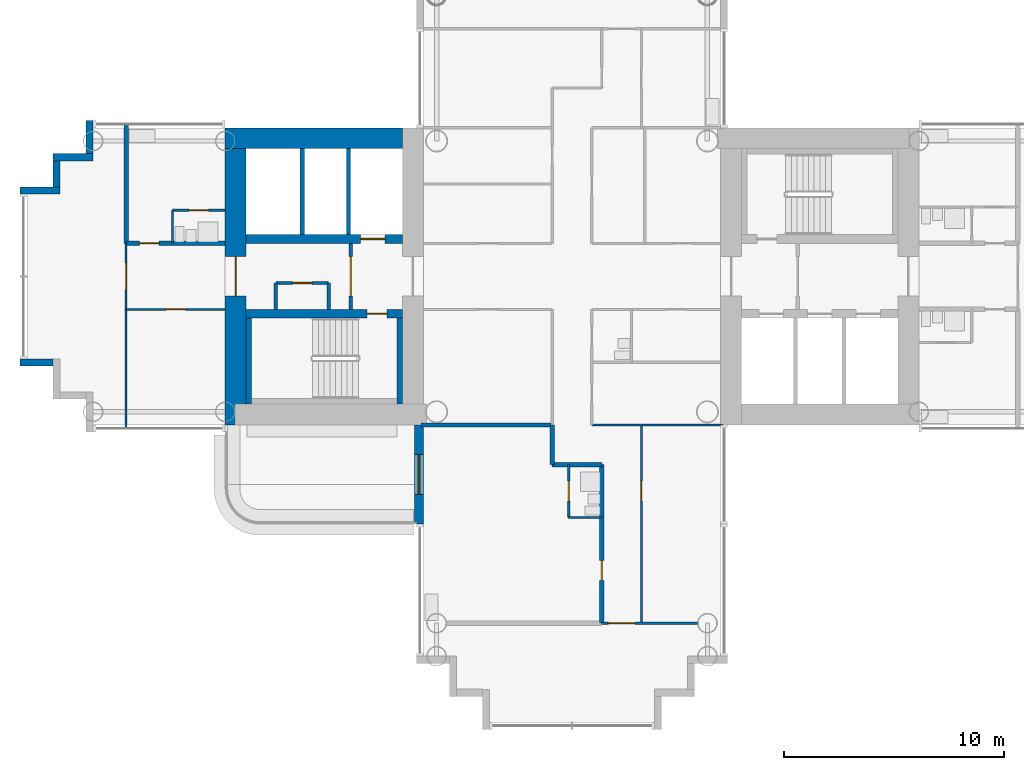
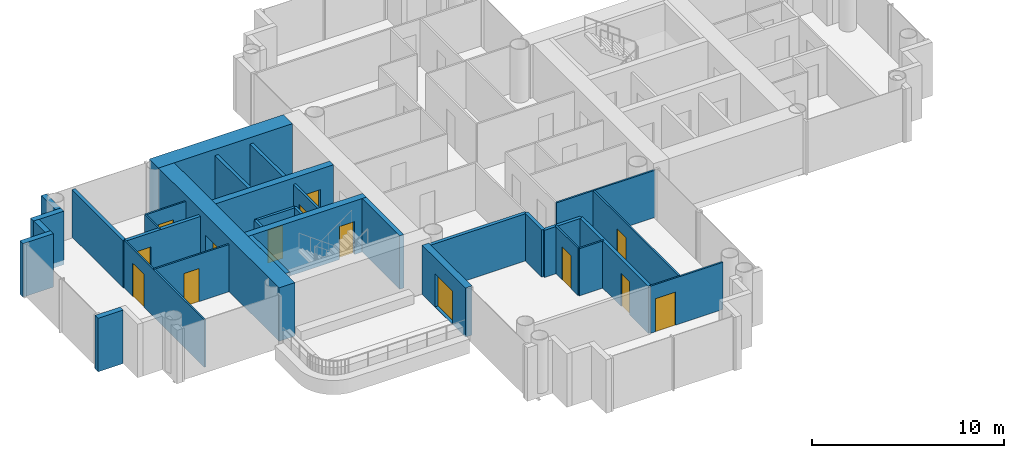
# One storey, part 9 of 21: 33 walls, 14 doors, 14 openings.
"""IFC4 building model written with IfcOpenShell, lengths in metres."""

from ifc_helpers import new_model, si_unit, direction, frame, frame_2d, origin, place, context, subcontext, project, spatial, rectangle, extrude, material, layer, layer_set, type_object, element, fill, save


model = new_model("IFC4")

# Units and contexts
model_context = context("Model", 3, precision=1e-05, world=origin(), true_north=direction((0.0, 1.0)))
body_context = subcontext(model_context, "Body", "Model", "MODEL_VIEW")
ifc_project = project(units=[si_unit("LENGTHUNIT", "METRE"), si_unit("AREAUNIT", "SQUARE_METRE"), si_unit("VOLUMEUNIT", "CUBIC_METRE"), si_unit("PLANEANGLEUNIT", "RADIAN"), si_unit("MASSUNIT", "GRAM", prefix="KILO")], contexts=[model_context])

# Site, building, storey
site_placement = place(None, origin())
site = spatial("IfcSite", under=ifc_project, at=site_placement, CompositionType="ELEMENT")
building_placement = place(site_placement, origin())
building = spatial("IfcBuilding", under=site, at=building_placement, Name="Ipe Terrace Towers", CompositionType="ELEMENT")
storey_placement = place(building_placement, frame((0.0, 0.0, 97.0)))
storey = spatial("IfcBuildingStorey", under=building, at=storey_placement, Name="L26", CompositionType="ELEMENT", Elevation=97.0)

# Wall, opening, door
ifc_material_1 = material(Name="Concrete C40/50 with buff precast cladding", Category="concrete")
ifc_layer_1 = layer(ifc_material_1, 0.39990234375)
ifc_layer_set_1 = layer_set([ifc_layer_1], Name="BALCONY BAY WALL 400")
wall_type_1 = type_object("IfcWallType", Name="BALCONY BAY WALL 400", PredefinedType="STANDARD", material=ifc_layer_set_1)
wall_1_placement = place(storey_placement, frame((-42.949951171875, -6.75, -0.02001953125), z_axis=(0.0, 0.0, 1.0), x_axis=(0.0, -1.0, 0.0)))
wall_1 = element("IfcWall", 1, at=wall_1_placement, inside=storey, type_object=wall_type_1, Name="T1-W-L26-06a wall", PredefinedType="STANDARD", context=body_context, shape_type="SweptSolid", body=[
    extrude(rectangle(XDim=4.5, YDim=0.39990234375, at=frame_2d((2.25, 0.0))), origin(), (0.0, 0.0, 1.0), 3.1201171875),
])
opening_1_placement = place(wall_1_placement, frame((1.35009765625, 0.0, 0.02001953125)))
opening_1 = element("IfcOpeningElement", 2, at=opening_1_placement, cuts=wall_1, Name="Opening T1-D-L26-06", PredefinedType="OPENING", context=body_context, shape_type="SweptSolid", body=[
    extrude(rectangle(XDim=1.800048828125, YDim=2.10009765625, at=frame_2d((0.89990234375, 1.050048828125))), frame((0.0, 0.2099609375, 0.0), z_axis=(0.0, -1.0, 0.0), x_axis=(1.0, 0.0, 0.0)), (0.0, 0.0, 1.0), 0.419921875),
])
ifc_material_2 = material(Name="Aluminium alloy 6063-T6 framed glazed door", Category="aluminium")
door_type_1 = type_object("IfcDoorType", Name="BALCONY DOOR 1800 x 2100 LEFT", OperationType="SINGLE_SWING_LEFT", PredefinedType="DOOR", material=ifc_material_2)
door_1_placement = place(opening_1_placement, origin())
door_1 = element("IfcDoor", 3, at=door_1_placement, inside=storey, type_object=door_type_1, Name="DB1 door", OperationType="SINGLE_SWING_LEFT", OverallHeight=2.10009765625, OverallWidth=1.800048828125, PredefinedType="DOOR", context=body_context, shape_type="SweptSolid", body=[
    extrude(rectangle(XDim=1.800048828125, YDim=2.10009765625, at=frame_2d((0.89990234375, 1.050048828125))), frame((0.0, 0.02490234375, 0.0), z_axis=(0.0, -1.0, 0.0), x_axis=(1.0, 0.0, 0.0)), (0.0, 0.0, 1.0), 0.050048828125),
])
fill(opening_1, door_1)

# Walls
ifc_material_3 = material(Name="Concrete C40/50 with buff precast cladding", Category="concrete")
ifc_layer_2 = layer(ifc_material_3, 0.320068359375)
ifc_layer_set_2 = layer_set([ifc_layer_2], Name="BUFF CLADDING WALL 320")
wall_type_2 = type_object("IfcWallType", Name="BUFF CLADDING WALL 320", PredefinedType="STANDARD", material=ifc_layer_set_2)
for number, where, z_axis, x_axis, name in (
    (4, (-61.070068359375, -3.909912109375, -0.300048828125), (0.0, 0.0, 1.0), (1.0, 0.0, 0.0), "T1-W-L26-00a wall"),
    (5, (-57.909912109375, 7.070068359375, -0.300048828125), (0.0, 0.0, 1.0), (0.0, -1.0, 0.0), "T1-W-L26-47a wall"),
):
    element("IfcWall", number, at=place(storey_placement, frame(where, z_axis=z_axis, x_axis=x_axis)), inside=storey, type_object=wall_type_2, Name=name, PredefinedType="STANDARD", context=body_context, shape_type="SweptSolid", body=[
        extrude(rectangle(XDim=1.5, YDim=0.320068359375, at=frame_2d((0.75, 0.0))), origin(), (0.0, 0.0, 1.0), 3.400146484375),
    ])
wall_2_placement = place(storey_placement, frame((-57.75, 5.409912109375, -0.300048828125), z_axis=(0.0, 0.0, 1.0), x_axis=(-1.0, 0.0, 0.0)))
element("IfcWall", 6, at=wall_2_placement, inside=storey, type_object=wall_type_2, Name="T1-W-L26-48a wall", PredefinedType="STANDARD", context=body_context, shape_type="SweptSolid", body=[
    extrude(rectangle(XDim=1.820068359375, YDim=0.320068359375, at=frame_2d((0.91015625, 0.0))), origin(), (0.0, 0.0, 1.0), 3.400146484375),
])
wall_3_placement = place(storey_placement, frame((-59.409912109375, 5.25, -0.300048828125), z_axis=(0.0, 0.0, 1.0), x_axis=(0.0, -1.0, 0.0)))
element("IfcWall", 7, at=wall_3_placement, inside=storey, type_object=wall_type_2, Name="T1-W-L26-49a wall", PredefinedType="STANDARD", context=body_context, shape_type="SweptSolid", body=[
    extrude(rectangle(XDim=1.179931640625, YDim=0.320068359375, at=frame_2d((0.58984375, 0.0))), origin(), (0.0, 0.0, 1.0), 3.400146484375),
])
wall_4_placement = place(storey_placement, frame((-59.25, 3.909912109375, -0.300048828125), z_axis=(0.0, 0.0, 1.0), x_axis=(-1.0, 0.0, 0.0)))
element("IfcWall", 8, at=wall_4_placement, inside=storey, type_object=wall_type_2, Name="T1-W-L26-50a wall", PredefinedType="STANDARD", context=body_context, shape_type="SweptSolid", body=[
    extrude(rectangle(XDim=1.820068359375, YDim=0.320068359375, at=frame_2d((0.91015625, 0.0))), origin(), (0.0, 0.0, 1.0), 3.400146484375),
])

# Wall, opening, door
ifc_material_4 = material(Name="Gypsum board partition", Category="plasterboard")
ifc_layer_3 = layer(ifc_material_4, 0.10009765625)
ifc_layer_set_3 = layer_set([ifc_layer_3], Name="Gypsum board partition 100 mm")
wall_type_3 = type_object("IfcWallType", Name="Gypsum board partition 100 mm", PredefinedType="PARTITIONING", material=ifc_layer_set_3)
wall_5_placement = place(storey_placement, frame((-56.25, -6.85009765625, 0.0), z_axis=(0.0, 0.0, 1.0), x_axis=(0.0, 1.0, 0.0)))
wall_5 = element("IfcWall", 9, at=wall_5_placement, inside=storey, type_object=wall_type_3, Name="Gypsum board partition T1 L26 W01", PredefinedType="PARTITIONING", context=body_context, shape_type="SweptSolid", body=[
    extrude(rectangle(XDim=8.35009765625, YDim=0.10009765625, at=frame_2d((4.175048828125, 0.0))), origin(), (0.0, 0.0, 1.0), 3.0),
])
opening_2_placement = place(wall_5_placement, frame((6.25, 0.0, 0.0)))
opening_2 = element("IfcOpeningElement", 10, at=opening_2_placement, cuts=wall_5, Name="Opening T1-Z2E-25", PredefinedType="OPENING", context=body_context, shape_type="SweptSolid", body=[
    extrude(rectangle(XDim=1.199951171875, YDim=2.10009765625, at=frame_2d((0.60009765625, 1.050048828125))), frame((0.0, 0.06005859375, 0.0), z_axis=(0.0, -1.0, 0.0), x_axis=(1.0, 0.0, 0.0)), (0.0, 0.0, 1.0), 0.1201171875),
])
ifc_material_5 = material(Name="Timber door leaf", Category="wood")
door_type_2 = type_object("IfcDoorType", Name="Lounge door 1200 x 2100", OperationType="NOTDEFINED", PredefinedType="DOOR", material=ifc_material_5)
door_2_placement = place(opening_2_placement, origin())
door_2 = element("IfcDoor", 11, at=door_2_placement, inside=storey, type_object=door_type_2, Name="Lounge door T1-Z2E-25", OperationType="SINGLE_SWING_LEFT", OverallHeight=2.10009765625, OverallWidth=1.199951171875, PredefinedType="DOOR", context=body_context, shape_type="SweptSolid", body=[
    extrude(rectangle(XDim=1.199951171875, YDim=2.10009765625, at=frame_2d((0.60009765625, 1.050048828125))), frame((0.0, 0.02490234375, 0.0), z_axis=(0.0, -1.0, 0.0), x_axis=(1.0, 0.0, 0.0)), (0.0, 0.0, 1.0), 0.050048828125),
])
fill(opening_2, door_2)

# Wall
wall_6_placement = place(storey_placement, frame((-54.14990234375, 1.5, 0.0), z_axis=(0.0, 0.0, 1.0), x_axis=(0.0, 1.0, 0.0)))
element("IfcWall", 12, at=wall_6_placement, inside=storey, type_object=wall_type_3, Name="Gypsum board partition T1 L26 W03", PredefinedType="PARTITIONING", context=body_context, shape_type="SweptSolid", body=[
    extrude(rectangle(XDim=1.5, YDim=0.10009765625, at=frame_2d((0.75, 0.0))), origin(), (0.0, 0.0, 1.0), 3.0),
])

# Wall, opening, door
wall_7_placement = place(storey_placement, frame((-36.14990234375, -10.949951171875, 0.0), z_axis=(0.0, 0.0, 1.0), x_axis=(0.0, 1.0, 0.0)))
wall_7 = element("IfcWall", 13, at=wall_7_placement, inside=storey, type_object=wall_type_3, Name="Gypsum board partition T1 L26 W07", PredefinedType="PARTITIONING", context=body_context, shape_type="SweptSolid", body=[
    extrude(rectangle(XDim=2.39990234375, YDim=0.10009765625, at=frame_2d((1.199951171875, 0.0))), origin(), (0.0, 0.0, 1.0), 3.0),
])
opening_3_placement = place(wall_7_placement, frame((0.75, 0.0, 0.0)))
opening_3 = element("IfcOpeningElement", 14, at=opening_3_placement, cuts=wall_7, Name="Opening T1-Z2E-14", PredefinedType="OPENING", context=body_context, shape_type="SweptSolid", body=[
    extrude(rectangle(XDim=0.89990234375, YDim=2.10009765625, at=frame_2d((0.449951171875, 1.050048828125))), frame((0.0, 0.06005859375, 0.0), z_axis=(0.0, -1.0, 0.0), x_axis=(1.0, 0.0, 0.0)), (0.0, 0.0, 1.0), 0.1201171875),
])
ifc_material_6 = material(Name="Timber door leaf", Category="wood")
door_type_3 = type_object("IfcDoorType", Name="Bathroom door 900 x 2100", OperationType="NOTDEFINED", PredefinedType="DOOR", material=ifc_material_6)
door_3_placement = place(opening_3_placement, origin())
door_3 = element("IfcDoor", 15, at=door_3_placement, inside=storey, type_object=door_type_3, Name="Bathroom door T1-Z2E-14", OperationType="SINGLE_SWING_RIGHT", OverallHeight=2.10009765625, OverallWidth=0.89990234375, PredefinedType="DOOR", context=body_context, shape_type="SweptSolid", body=[
    extrude(rectangle(XDim=0.89990234375, YDim=2.10009765625, at=frame_2d((0.449951171875, 1.050048828125))), frame((0.0, 0.02490234375, 0.0), z_axis=(0.0, -1.0, 0.0), x_axis=(1.0, 0.0, 0.0)), (0.0, 0.0, 1.0), 0.050048828125),
])
fill(opening_3, door_3)

wall_8_placement = place(storey_placement, frame((-32.85009765625, -15.75, 0.0), z_axis=(0.0, 0.0, 1.0), x_axis=(0.0, 1.0, 0.0)))
wall_8 = element("IfcWall", 16, at=wall_8_placement, inside=storey, type_object=wall_type_3, Name="Gypsum board partition T1 L26 W13", PredefinedType="PARTITIONING", context=body_context, shape_type="SweptSolid", body=[
    extrude(rectangle(XDim=9.0, YDim=0.10009765625, at=frame_2d((4.5, 0.0))), origin(), (0.0, 0.0, 1.0), 3.0),
])
opening_4_placement = place(wall_8_placement, frame((5.550048828125, 0.0, 0.0)))
opening_4 = element("IfcOpeningElement", 17, at=opening_4_placement, cuts=wall_8, Name="Opening T1-Z2E-12", PredefinedType="OPENING", context=body_context, shape_type="SweptSolid", body=[
    extrude(rectangle(XDim=0.89990234375, YDim=2.10009765625, at=frame_2d((0.449951171875, 1.050048828125))), frame((0.0, 0.06005859375, 0.0), z_axis=(0.0, -1.0, 0.0), x_axis=(1.0, 0.0, 0.0)), (0.0, 0.0, 1.0), 0.1201171875),
])
ifc_material_7 = material(Name="Timber door leaf", Category="wood")
door_type_4 = type_object("IfcDoorType", Name="Lounge door 900 x 2100", OperationType="NOTDEFINED", PredefinedType="DOOR", material=ifc_material_7)
door_4_placement = place(opening_4_placement, origin())
door_4 = element("IfcDoor", 18, at=door_4_placement, inside=storey, type_object=door_type_4, Name="Lounge door T1-Z2E-12", OperationType="SINGLE_SWING_RIGHT", OverallHeight=2.10009765625, OverallWidth=0.89990234375, PredefinedType="DOOR", context=body_context, shape_type="SweptSolid", body=[
    extrude(rectangle(XDim=0.89990234375, YDim=2.10009765625, at=frame_2d((0.449951171875, 1.050048828125))), frame((0.0, 0.02490234375, 0.0), z_axis=(0.0, -1.0, 0.0), x_axis=(1.0, 0.0, 0.0)), (0.0, 0.0, 1.0), 0.050048828125),
])
fill(opening_4, door_4)

wall_9_placement = place(storey_placement, frame((-34.64990234375, -15.75, 0.0), z_axis=(0.0, 0.0, 1.0), x_axis=(1.0, 0.0, 0.0)))
wall_9 = element("IfcWall", 19, at=wall_9_placement, inside=storey, type_object=wall_type_3, Name="Gypsum board partition T1 L26 W21", PredefinedType="PARTITIONING", context=body_context, shape_type="SweptSolid", body=[
    extrude(rectangle(XDim=4.349853515625, YDim=0.10009765625, at=frame_2d((2.1748046875, 0.0))), origin(), (0.0, 0.0, 1.0), 3.0),
])
opening_5_placement = place(wall_9_placement, frame((0.300048828125, 0.0, 0.0)))
opening_5 = element("IfcOpeningElement", 20, at=opening_5_placement, cuts=wall_9, Name="Opening T1-Z2E-15", PredefinedType="OPENING", context=body_context, shape_type="SweptSolid", body=[
    extrude(rectangle(XDim=1.199951171875, YDim=2.10009765625, at=frame_2d((0.60009765625, 1.050048828125))), frame((0.0, 0.06005859375, 0.0), z_axis=(0.0, -1.0, 0.0), x_axis=(1.0, 0.0, 0.0)), (0.0, 0.0, 1.0), 0.1201171875),
])
door_5_placement = place(opening_5_placement, origin())
door_5 = element("IfcDoor", 21, at=door_5_placement, inside=storey, type_object=door_type_2, Name="Lounge door T1-Z2E-15", OperationType="SINGLE_SWING_LEFT", OverallHeight=2.10009765625, OverallWidth=1.199951171875, PredefinedType="DOOR", context=body_context, shape_type="SweptSolid", body=[
    extrude(rectangle(XDim=1.199951171875, YDim=2.10009765625, at=frame_2d((0.60009765625, 1.050048828125))), frame((0.0, 0.02490234375, 0.0), z_axis=(0.0, -1.0, 0.0), x_axis=(1.0, 0.0, 0.0)), (0.0, 0.0, 1.0), 0.050048828125),
])
fill(opening_5, door_5)

# Walls
wall_10_placement = place(storey_placement, frame((-36.14990234375, -10.949951171875, 0.0), z_axis=(0.0, 0.0, 1.0), x_axis=(1.0, 0.0, 0.0)))
element("IfcWall", 22, at=wall_10_placement, inside=storey, type_object=wall_type_3, Name="Gypsum board partition T1 L26 W23", PredefinedType="PARTITIONING", context=body_context, shape_type="SweptSolid", body=[
    extrude(rectangle(XDim=1.5, YDim=0.10009765625, at=frame_2d((0.75, 0.0))), origin(), (0.0, 0.0, 1.0), 3.0),
])
wall_11_placement = place(storey_placement, frame((-35.10009765625, -6.75, 0.0), z_axis=(0.0, 0.0, 1.0), x_axis=(1.0, 0.0, 0.0)))
element("IfcWall", 23, at=wall_11_placement, inside=storey, type_object=wall_type_3, Name="Gypsum board partition T1 L26 W25", PredefinedType="PARTITIONING", context=body_context, shape_type="SweptSolid", body=[
    extrude(rectangle(XDim=5.9501953125, YDim=0.10009765625, at=frame_2d((2.97509765625, 0.0))), origin(), (0.0, 0.0, 1.0), 3.0),
])

# Wall, opening, door
wall_12_placement = place(storey_placement, frame((-56.25, -1.5, 0.0), z_axis=(0.0, 0.0, 1.0), x_axis=(1.0, 0.0, 0.0)))
wall_12 = element("IfcWall", 24, at=wall_12_placement, inside=storey, type_object=wall_type_3, Name="Gypsum board partition T1 L26 W29", PredefinedType="PARTITIONING", context=body_context, shape_type="SweptSolid", body=[
    extrude(rectangle(XDim=4.5, YDim=0.10009765625, at=frame_2d((2.25, 0.0))), origin(), (0.0, 0.0, 1.0), 3.0),
])
opening_6_placement = place(wall_12_placement, frame((1.800048828125, 0.0, 0.0)))
opening_6 = element("IfcOpeningElement", 25, at=opening_6_placement, cuts=wall_12, Name="Opening T1-Z2E-22", PredefinedType="OPENING", context=body_context, shape_type="SweptSolid", body=[
    extrude(rectangle(XDim=0.89990234375, YDim=2.10009765625, at=frame_2d((0.449951171875, 1.050048828125))), frame((0.0, 0.06005859375, 0.0), z_axis=(0.0, -1.0, 0.0), x_axis=(1.0, 0.0, 0.0)), (0.0, 0.0, 1.0), 0.1201171875),
])
door_6_placement = place(opening_6_placement, origin())
door_6 = element("IfcDoor", 26, at=door_6_placement, inside=storey, type_object=door_type_4, Name="Lounge door T1-Z2E-22", OperationType="SINGLE_SWING_RIGHT", OverallHeight=2.10009765625, OverallWidth=0.89990234375, PredefinedType="DOOR", context=body_context, shape_type="SweptSolid", body=[
    extrude(rectangle(XDim=0.89990234375, YDim=2.10009765625, at=frame_2d((0.449951171875, 1.050048828125))), frame((0.0, 0.02490234375, 0.0), z_axis=(0.0, -1.0, 0.0), x_axis=(1.0, 0.0, 0.0)), (0.0, 0.0, 1.0), 0.050048828125),
])
fill(opening_6, door_6)

wall_13_placement = place(storey_placement, frame((-54.14990234375, 3.0, 0.0), z_axis=(0.0, 0.0, 1.0), x_axis=(1.0, 0.0, 0.0)))
wall_13 = element("IfcWall", 27, at=wall_13_placement, inside=storey, type_object=wall_type_3, Name="Gypsum board partition T1 L26 W37", PredefinedType="PARTITIONING", context=body_context, shape_type="SweptSolid", body=[
    extrude(rectangle(XDim=2.39990234375, YDim=0.10009765625, at=frame_2d((1.199951171875, 0.0))), origin(), (0.0, 0.0, 1.0), 3.0),
])
opening_7_placement = place(wall_13_placement, frame((0.75, 0.0, 0.0)))
opening_7 = element("IfcOpeningElement", 28, at=opening_7_placement, cuts=wall_13, Name="Opening T1-Z2E-24", PredefinedType="OPENING", context=body_context, shape_type="SweptSolid", body=[
    extrude(rectangle(XDim=0.89990234375, YDim=2.10009765625, at=frame_2d((0.449951171875, 1.050048828125))), frame((0.0, 0.06005859375, 0.0), z_axis=(0.0, -1.0, 0.0), x_axis=(1.0, 0.0, 0.0)), (0.0, 0.0, 1.0), 0.1201171875),
])
door_7_placement = place(opening_7_placement, origin())
door_7 = element("IfcDoor", 29, at=door_7_placement, inside=storey, type_object=door_type_3, Name="Bathroom door T1-Z2E-24", OperationType="SINGLE_SWING_RIGHT", OverallHeight=2.10009765625, OverallWidth=0.89990234375, PredefinedType="DOOR", context=body_context, shape_type="SweptSolid", body=[
    extrude(rectangle(XDim=0.89990234375, YDim=2.10009765625, at=frame_2d((0.449951171875, 1.050048828125))), frame((0.0, 0.02490234375, 0.0), z_axis=(0.0, -1.0, 0.0), x_axis=(1.0, 0.0, 0.0)), (0.0, 0.0, 1.0), 0.050048828125),
])
fill(opening_7, door_7)

ifc_material_8 = material(Name="Gypsum board partition", Category="plasterboard")
ifc_layer_4 = layer(ifc_material_8, 0.14990234375)
ifc_layer_set_4 = layer_set([ifc_layer_4], Name="Gypsum board partition 150 mm")
wall_type_4 = type_object("IfcWallType", Name="Gypsum board partition 150 mm", PredefinedType="PARTITIONING", material=ifc_layer_set_4)
wall_14_placement = place(storey_placement, frame((-46.050048828125, 1.5, 0.0), z_axis=(0.0, 0.0, 1.0), x_axis=(0.0, -1.0, 0.0)))
wall_14 = element("IfcWall", 30, at=wall_14_placement, inside=storey, type_object=wall_type_4, Name="Gypsum board partition T1 L26 t1c2-lobby-wall", PredefinedType="PARTITIONING", context=body_context, shape_type="SweptSolid", body=[
    extrude(rectangle(XDim=3.0, YDim=0.14990234375, at=frame_2d((1.5, 0.0))), origin(), (0.0, 0.0, 1.0), 3.0),
])
opening_8_placement = place(wall_14_placement, frame((0.60009765625, 0.0, 0.0)))
opening_8 = element("IfcOpeningElement", 31, at=opening_8_placement, cuts=wall_14, Name="Opening T1C2-VD", PredefinedType="OPENING", context=body_context, shape_type="SweptSolid", body=[
    extrude(rectangle(XDim=1.800048828125, YDim=2.10009765625, at=frame_2d((0.89990234375, 1.050048828125))), frame((0.0, 0.0849609375, 0.0), z_axis=(0.0, -1.0, 0.0), x_axis=(1.0, 0.0, 0.0)), (0.0, 0.0, 1.0), 0.169921875),
])
ifc_material_9 = material(Name="Fire-rated timber door leaf", Category="wood")
door_type_5 = type_object("IfcDoorType", Name="Lobby door 1800 x 2100 FD60", OperationType="NOTDEFINED", PredefinedType="DOOR", material=ifc_material_9)
door_8_placement = place(opening_8_placement, origin())
door_8 = element("IfcDoor", 32, at=door_8_placement, inside=storey, type_object=door_type_5, Name="Lobby door T1C2-VD", OperationType="SINGLE_SWING_LEFT", OverallHeight=2.10009765625, OverallWidth=1.800048828125, PredefinedType="DOOR", context=body_context, shape_type="SweptSolid", body=[
    extrude(rectangle(XDim=1.800048828125, YDim=2.10009765625, at=frame_2d((0.89990234375, 1.050048828125))), frame((0.0, 0.02490234375, 0.0), z_axis=(0.0, -1.0, 0.0), x_axis=(1.0, 0.0, 0.0)), (0.0, 0.0, 1.0), 0.050048828125),
])
fill(opening_8, door_8)

wall_15_placement = place(storey_placement, frame((-47.050048828125, -0.300048828125, 0.0), z_axis=(0.0, 0.0, 1.0), x_axis=(-1.0, 0.0, 0.0)))
wall_15 = element("IfcWall", 33, at=wall_15_placement, inside=storey, type_object=wall_type_4, Name="Gypsum board partition T1 L26 t1c2-cup-n-f", PredefinedType="PARTITIONING", context=body_context, shape_type="SweptSolid", body=[
    extrude(rectangle(XDim=2.39990234375, YDim=0.14990234375, at=frame_2d((1.199951171875, 0.0))), origin(), (0.0, 0.0, 1.0), 3.0),
])
opening_9_placement = place(wall_15_placement, frame((0.75, 0.0, 0.0)))
opening_9 = element("IfcOpeningElement", 34, at=opening_9_placement, cuts=wall_15, Name="Opening T1C2-SR", PredefinedType="OPENING", context=body_context, shape_type="SweptSolid", body=[
    extrude(rectangle(XDim=0.89990234375, YDim=2.10009765625, at=frame_2d((0.449951171875, 1.050048828125))), frame((0.0, 0.0849609375, 0.0), z_axis=(0.0, -1.0, 0.0), x_axis=(1.0, 0.0, 0.0)), (0.0, 0.0, 1.0), 0.169921875),
])
ifc_material_10 = material(Name="Fire-rated timber door leaf", Category="wood")
door_type_6 = type_object("IfcDoorType", Name="Service door 900 x 2100 FD60", OperationType="NOTDEFINED", PredefinedType="DOOR", material=ifc_material_10)
door_9_placement = place(opening_9_placement, origin())
door_9 = element("IfcDoor", 35, at=door_9_placement, inside=storey, type_object=door_type_6, Name="Service door T1C2-SR", OperationType="SINGLE_SWING_LEFT", OverallHeight=2.10009765625, OverallWidth=0.89990234375, PredefinedType="DOOR", context=body_context, shape_type="SweptSolid", body=[
    extrude(rectangle(XDim=0.89990234375, YDim=2.10009765625, at=frame_2d((0.449951171875, 1.050048828125))), frame((0.0, 0.02490234375, 0.0), z_axis=(0.0, -1.0, 0.0), x_axis=(1.0, 0.0, 0.0)), (0.0, 0.0, 1.0), 0.050048828125),
])
fill(opening_9, door_9)

# Walls
for number, where, z_axis, x_axis, name in (
    (36, (-47.050048828125, -0.300048828125, 0.0), (0.0, 0.0, 1.0), (0.0, -1.0, 0.0), "Gypsum board partition T1 L26 t1c2-cup-n-a"),
    (37, (-49.449951171875, -0.300048828125, 0.0), (0.0, 0.0, 1.0), (0.0, -1.0, 0.0), "Gypsum board partition T1 L26 t1c2-cup-n-b"),
):
    element("IfcWall", number, at=place(storey_placement, frame(where, z_axis=z_axis, x_axis=x_axis)), inside=storey, type_object=wall_type_4, Name=name, PredefinedType="PARTITIONING", context=body_context, shape_type="SweptSolid", body=[
        extrude(rectangle(XDim=1.199951171875, YDim=0.14990234375, at=frame_2d((0.60009765625, 0.0))), origin(), (0.0, 0.0, 1.0), 3.0),
    ])
ifc_material_11 = material(Name="Gypsum board party wall", Category="plasterboard")
ifc_layer_5 = layer(ifc_material_11, 0.199951171875)
ifc_layer_set_5 = layer_set([ifc_layer_5], Name="Gypsum board party wall 200 mm")
wall_type_5 = type_object("IfcWallType", Name="Gypsum board party wall 200 mm", PredefinedType="SOLIDWALL", material=ifc_layer_set_5)
for number, where, z_axis, x_axis, name in (
    (38, (-46.14990234375, 5.800048828125, 0.0), (0.0, 0.0, 1.0), (0.0, -1.0, 0.0), "Gypsum board party wall T1 L26 t1c2-shaft-div1"),
    (39, (-48.25, 5.800048828125, 0.0), (0.0, 0.0, 1.0), (0.0, -1.0, 0.0), "Gypsum board party wall T1 L26 t1c2-shaft-div2"),
):
    element("IfcWall", number, at=place(storey_placement, frame(where, z_axis=z_axis, x_axis=x_axis)), inside=storey, type_object=wall_type_5, Name=name, PredefinedType="SOLIDWALL", context=body_context, shape_type="SweptSolid", body=[
        extrude(rectangle(XDim=3.900146484375, YDim=0.199951171875, at=frame_2d((1.9501953125, 0.0))), origin(), (0.0, 0.0, 1.0), 3.0),
    ])
wall_16_placement = place(storey_placement, frame((-56.25, 1.5, 0.0), z_axis=(0.0, 0.0, 1.0), x_axis=(0.0, 1.0, 0.0)))
element("IfcWall", 40, at=wall_16_placement, inside=storey, type_object=wall_type_5, Name="Gypsum board party wall T1 L26 W02", PredefinedType="SOLIDWALL", context=body_context, shape_type="SweptSolid", body=[
    extrude(rectangle(XDim=5.35009765625, YDim=0.199951171875, at=frame_2d((2.675048828125, 0.0))), origin(), (0.0, 0.0, 1.0), 3.0),
])
wall_17_placement = place(storey_placement, frame((-36.89990234375, -8.550048828125, 0.0), z_axis=(0.0, 0.0, 1.0), x_axis=(0.0, 1.0, 0.0)))
element("IfcWall", 41, at=wall_17_placement, inside=storey, type_object=wall_type_5, Name="Gypsum board party wall T1 L26 W06", PredefinedType="SOLIDWALL", context=body_context, shape_type="SweptSolid", body=[
    extrude(rectangle(XDim=1.800048828125, YDim=0.199951171875, at=frame_2d((0.89990234375, 0.0))), origin(), (0.0, 0.0, 1.0), 3.0),
])

# Wall, opening, door
wall_18_placement = place(storey_placement, frame((-34.64990234375, -15.75, 0.0), z_axis=(0.0, 0.0, 1.0), x_axis=(0.0, 1.0, 0.0)))
wall_18 = element("IfcWall", 42, at=wall_18_placement, inside=storey, type_object=wall_type_5, Name="Gypsum board party wall T1 L26 W11", PredefinedType="SOLIDWALL", context=body_context, shape_type="SweptSolid", body=[
    extrude(rectangle(XDim=7.199951171875, YDim=0.199951171875, at=frame_2d((3.60009765625, 0.0))), origin(), (0.0, 0.0, 1.0), 3.0),
])
opening_10_placement = place(wall_18_placement, frame((1.949951171875, 0.0, 0.0)))
opening_10 = element("IfcOpeningElement", 43, at=opening_10_placement, cuts=wall_18, Name="Opening T1-Z2E-13", PredefinedType="OPENING", context=body_context, shape_type="SweptSolid", body=[
    extrude(rectangle(XDim=0.89990234375, YDim=2.10009765625, at=frame_2d((0.449951171875, 1.050048828125))), frame((0.0, 0.10986328125, 0.0), z_axis=(0.0, -1.0, 0.0), x_axis=(1.0, 0.0, 0.0)), (0.0, 0.0, 1.0), 0.219970703125),
])
ifc_material_12 = material(Name="Fire-rated timber door leaf", Category="wood")
door_type_7 = type_object("IfcDoorType", Name="Flat entrance door 900 x 2100 FD30S", OperationType="NOTDEFINED", PredefinedType="DOOR", material=ifc_material_12)
door_10_placement = place(opening_10_placement, origin())
door_10 = element("IfcDoor", 44, at=door_10_placement, inside=storey, type_object=door_type_7, Name="Flat entrance door T1-Z2E-13", OperationType="SINGLE_SWING_RIGHT", OverallHeight=2.10009765625, OverallWidth=0.89990234375, PredefinedType="DOOR", context=body_context, shape_type="SweptSolid", body=[
    extrude(rectangle(XDim=0.89990234375, YDim=2.10009765625, at=frame_2d((0.449951171875, 1.050048828125))), frame((0.0, 0.02490234375, 0.0), z_axis=(0.0, -1.0, 0.0), x_axis=(1.0, 0.0, 0.0)), (0.0, 0.0, 1.0), 0.050048828125),
])
fill(opening_10, door_10)

# Walls
wall_19_placement = place(storey_placement, frame((-36.89990234375, -8.550048828125, 0.0), z_axis=(0.0, 0.0, 1.0), x_axis=(1.0, 0.0, 0.0)))
element("IfcWall", 45, at=wall_19_placement, inside=storey, type_object=wall_type_5, Name="Gypsum board party wall T1 L26 W24", PredefinedType="SOLIDWALL", context=body_context, shape_type="SweptSolid", body=[
    extrude(rectangle(XDim=2.25, YDim=0.199951171875, at=frame_2d((1.125, 0.0))), origin(), (0.0, 0.0, 1.0), 3.0),
])
wall_20_placement = place(storey_placement, frame((-42.85009765625, -6.75, 0.0), z_axis=(0.0, 0.0, 1.0), x_axis=(1.0, 0.0, 0.0)))
element("IfcWall", 46, at=wall_20_placement, inside=storey, type_object=wall_type_5, Name="Gypsum board party wall T1 L26 W26", PredefinedType="SOLIDWALL", context=body_context, shape_type="SweptSolid", body=[
    extrude(rectangle(XDim=5.9501953125, YDim=0.199951171875, at=frame_2d((2.97509765625, 0.0))), origin(), (0.0, 0.0, 1.0), 3.0),
])

# Wall, opening, door
wall_21_placement = place(storey_placement, frame((-56.25, 1.5, 0.0), z_axis=(0.0, 0.0, 1.0), x_axis=(1.0, 0.0, 0.0)))
wall_21 = element("IfcWall", 47, at=wall_21_placement, inside=storey, type_object=wall_type_5, Name="Gypsum board party wall T1 L26 W35", PredefinedType="SOLIDWALL", context=body_context, shape_type="SweptSolid", body=[
    extrude(rectangle(XDim=4.5, YDim=0.199951171875, at=frame_2d((2.25, 0.0))), origin(), (0.0, 0.0, 1.0), 3.0),
])
opening_11_placement = place(wall_21_placement, frame((0.60009765625, 0.0, 0.0)))
opening_11 = element("IfcOpeningElement", 48, at=opening_11_placement, cuts=wall_21, Name="Opening T1-Z2E-23", PredefinedType="OPENING", context=body_context, shape_type="SweptSolid", body=[
    extrude(rectangle(XDim=0.89990234375, YDim=2.10009765625, at=frame_2d((0.449951171875, 1.050048828125))), frame((0.0, 0.10986328125, 0.0), z_axis=(0.0, -1.0, 0.0), x_axis=(1.0, 0.0, 0.0)), (0.0, 0.0, 1.0), 0.219970703125),
])
door_11_placement = place(opening_11_placement, origin())
door_11 = element("IfcDoor", 49, at=door_11_placement, inside=storey, type_object=door_type_7, Name="Flat entrance door T1-Z2E-23", OperationType="SINGLE_SWING_RIGHT", OverallHeight=2.10009765625, OverallWidth=0.89990234375, PredefinedType="DOOR", context=body_context, shape_type="SweptSolid", body=[
    extrude(rectangle(XDim=0.89990234375, YDim=2.10009765625, at=frame_2d((0.449951171875, 1.050048828125))), frame((0.0, 0.02490234375, 0.0), z_axis=(0.0, -1.0, 0.0), x_axis=(1.0, 0.0, 0.0)), (0.0, 0.0, 1.0), 0.050048828125),
])
fill(opening_11, door_11)

# Walls
ifc_material_13 = material(Name="Concrete C50/60", Category="concrete")
ifc_layer_6 = layer(ifc_material_13, 0.25)
ifc_layer_set_6 = layer_set([ifc_layer_6], Name="RW250 CORE INFILL WALL 250 C50-60")
wall_type_6 = type_object("IfcWallType", Name="RW250 CORE INFILL WALL 250 C50-60", PredefinedType="SHEAR", material=ifc_layer_set_6)
for number, where, z_axis, x_axis, name in (
    (50, (-50.675048828125, -1.89990234375, 0.0), (0.0, 0.0, 1.0), (0.0, -1.0, 0.0), "Core infill wall T1-C2-far"),
    (51, (-43.824951171875, -1.89990234375, 0.0), (0.0, 0.0, 1.0), (0.0, -1.0, 0.0), "Core infill wall T1-C2-near"),
):
    element("IfcWall", number, at=place(storey_placement, frame(where, z_axis=z_axis, x_axis=x_axis)), inside=storey, type_object=wall_type_6, Name=name, PredefinedType="SHEAR", context=body_context, shape_type="SweptSolid", body=[
        extrude(rectangle(XDim=3.900146484375, YDim=0.25, at=frame_2d((1.9501953125, 0.0))), origin(), (0.0, 0.0, 1.0), 3.39990234375),
    ])

# Wall, opening, door
ifc_material_14 = material(Name="Concrete C50/60", Category="concrete")
ifc_layer_7 = layer(ifc_material_14, 0.39990234375)
ifc_layer_set_7 = layer_set([ifc_layer_7], Name="RW400 CORE SPINE WALL 400 C50-60")
wall_type_7 = type_object("IfcWallType", Name="RW400 CORE SPINE WALL 400 C50-60", PredefinedType="SHEAR", material=ifc_layer_set_7)
wall_22_placement = place(storey_placement, frame((-50.800048828125, -1.699951171875, 0.0), z_axis=(0.0, 0.0, 1.0), x_axis=(1.0, 0.0, 0.0)))
wall_22 = element("IfcWall", 52, at=wall_22_placement, inside=storey, type_object=wall_type_7, Name="Core spine wall T1-C2-Z2-SW1", PredefinedType="SHEAR", context=body_context, shape_type="SweptSolid", body=[
    extrude(rectangle(XDim=7.10009765625, YDim=0.39990234375, at=frame_2d((3.550048828125, 0.0))), origin(), (0.0, 0.0, 1.0), 3.39990234375),
])
opening_12_placement = place(wall_22_placement, frame((5.5, 0.0, 0.0)))
opening_12 = element("IfcOpeningElement", 53, at=opening_12_placement, cuts=wall_22, Name="Opening T1C2-SD", PredefinedType="OPENING", context=body_context, shape_type="SweptSolid", body=[
    extrude(rectangle(XDim=0.89990234375, YDim=2.10009765625, at=frame_2d((0.449951171875, 1.050048828125))), frame((0.0, 0.2099609375, 0.0), z_axis=(0.0, -1.0, 0.0), x_axis=(1.0, 0.0, 0.0)), (0.0, 0.0, 1.0), 0.419921875),
])
ifc_material_15 = material(Name="Fire-rated timber door leaf", Category="wood")
door_type_8 = type_object("IfcDoorType", Name="Stair door 900 x 2100 FD60", OperationType="NOTDEFINED", PredefinedType="DOOR", material=ifc_material_15)
door_12_placement = place(opening_12_placement, origin())
door_12 = element("IfcDoor", 54, at=door_12_placement, inside=storey, type_object=door_type_8, Name="Stair door T1C2-SD", OperationType="SINGLE_SWING_RIGHT", OverallHeight=2.10009765625, OverallWidth=0.89990234375, PredefinedType="DOOR", context=body_context, shape_type="SweptSolid", body=[
    extrude(rectangle(XDim=0.89990234375, YDim=2.10009765625, at=frame_2d((0.449951171875, 1.050048828125))), frame((0.0, 0.02490234375, 0.0), z_axis=(0.0, -1.0, 0.0), x_axis=(1.0, 0.0, 0.0)), (0.0, 0.0, 1.0), 0.050048828125),
])
fill(opening_12, door_12)

wall_23_placement = place(storey_placement, frame((-50.800048828125, 1.699951171875, 0.0), z_axis=(0.0, 0.0, 1.0), x_axis=(1.0, 0.0, 0.0)))
wall_23 = element("IfcWall", 55, at=wall_23_placement, inside=storey, type_object=wall_type_7, Name="Core spine wall T1-C2-Z2-SW2", PredefinedType="SHEAR", context=body_context, shape_type="SweptSolid", body=[
    extrude(rectangle(XDim=7.10009765625, YDim=0.39990234375, at=frame_2d((3.550048828125, 0.0))), origin(), (0.0, 0.0, 1.0), 3.39990234375),
])
opening_13_placement = place(wall_23_placement, frame((5.199951171875, 0.0, 0.0)))
opening_13 = element("IfcOpeningElement", 56, at=opening_13_placement, cuts=wall_23, Name="Opening T1C2-LD1", PredefinedType="OPENING", context=body_context, shape_type="SweptSolid", body=[
    extrude(rectangle(XDim=1.10009765625, YDim=2.10009765625, at=frame_2d((0.550048828125, 1.050048828125))), frame((0.0, 0.2099609375, 0.0), z_axis=(0.0, -1.0, 0.0), x_axis=(1.0, 0.0, 0.0)), (0.0, 0.0, 1.0), 0.419921875),
])
ifc_material_16 = material(Name="Fire-rated timber door leaf", Category="wood")
door_type_9 = type_object("IfcDoorType", Name="Sliding door 1100 x 2100 FD60", OperationType="SLIDING_TO_LEFT", PredefinedType="DOOR", material=ifc_material_16)
door_13_placement = place(opening_13_placement, origin())
door_13 = element("IfcDoor", 57, at=door_13_placement, inside=storey, type_object=door_type_9, Name="Sliding door T1C2-LD1", OperationType="SLIDING_TO_LEFT", OverallHeight=2.10009765625, OverallWidth=1.10009765625, PredefinedType="DOOR", context=body_context, shape_type="SweptSolid", body=[
    extrude(rectangle(XDim=1.10009765625, YDim=2.10009765625, at=frame_2d((0.550048828125, 1.050048828125))), frame((0.0, 0.02490234375, 0.0), z_axis=(0.0, -1.0, 0.0), x_axis=(1.0, 0.0, 0.0)), (0.0, 0.0, 1.0), 0.050048828125),
])
fill(opening_13, door_13)

# Wall
ifc_material_17 = material(Name="Concrete C50/60", Category="concrete")
ifc_layer_8 = layer(ifc_material_17, 0.949951171875)
ifc_layer_set_8 = layer_set([ifc_layer_8], Name="RW950 CORE WALL 950 C50-60")
wall_type_8 = type_object("IfcWallType", Name="RW950 CORE WALL 950 C50-60", PredefinedType="SHEAR", material=ifc_layer_set_8)
wall_24_placement = place(storey_placement, frame((-43.699951171875, 6.27490234375, 0.0), z_axis=(0.0, 0.0, 1.0), x_axis=(-1.0, 0.0, 0.0)))
element("IfcWall", 58, at=wall_24_placement, inside=storey, type_object=wall_type_8, Name="Core wall T1-C2-Z2-W03", PredefinedType="SHEAR", context=body_context, shape_type="SweptSolid", body=[
    extrude(rectangle(XDim=8.050048828125, YDim=0.949951171875, at=frame_2d((4.02490234375, 0.0))), origin(), (0.0, 0.0, 1.0), 3.39990234375),
])

# Wall, opening, door
wall_25_placement = place(storey_placement, frame((-51.27490234375, 5.800048828125, 0.0), z_axis=(0.0, 0.0, 1.0), x_axis=(0.0, -1.0, 0.0)))
wall_25 = element("IfcWall", 59, at=wall_25_placement, inside=storey, type_object=wall_type_8, Name="Core wall T1-C2-Z2-W04", PredefinedType="SHEAR", context=body_context, shape_type="SweptSolid", body=[
    extrude(rectangle(XDim=12.550048828125, YDim=0.949951171875, at=frame_2d((6.27490234375, 0.0))), origin(), (0.0, 0.0, 1.0), 3.39990234375),
])
opening_14_placement = place(wall_25_placement, frame((4.89990234375, 0.0, 0.0)))
opening_14 = element("IfcOpeningElement", 60, at=opening_14_placement, cuts=wall_25, Name="Opening T1C2-FD", PredefinedType="OPENING", context=body_context, shape_type="SweptSolid", body=[
    extrude(rectangle(XDim=1.800048828125, YDim=2.10009765625, at=frame_2d((0.89990234375, 1.050048828125))), frame((0.0, 0.48486328125, 0.0), z_axis=(0.0, -1.0, 0.0), x_axis=(1.0, 0.0, 0.0)), (0.0, 0.0, 1.0), 0.969970703125),
])
ifc_material_18 = material(Name="Fire-rated timber door leaf", Category="wood")
door_type_10 = type_object("IfcDoorType", Name="Fire door 1800 x 2100 FD30S", OperationType="NOTDEFINED", PredefinedType="DOOR", material=ifc_material_18)
door_14_placement = place(opening_14_placement, origin())
door_14 = element("IfcDoor", 61, at=door_14_placement, inside=storey, type_object=door_type_10, Name="Fire door T1C2-FD", OperationType="SINGLE_SWING_LEFT", OverallHeight=2.10009765625, OverallWidth=1.800048828125, PredefinedType="DOOR", context=body_context, shape_type="SweptSolid", body=[
    extrude(rectangle(XDim=1.800048828125, YDim=2.10009765625, at=frame_2d((0.89990234375, 1.050048828125))), frame((0.0, 0.02490234375, 0.0), z_axis=(0.0, -1.0, 0.0), x_axis=(1.0, 0.0, 0.0)), (0.0, 0.0, 1.0), 0.050048828125),
])
fill(opening_14, door_14)

save(model, "model.ifc")
